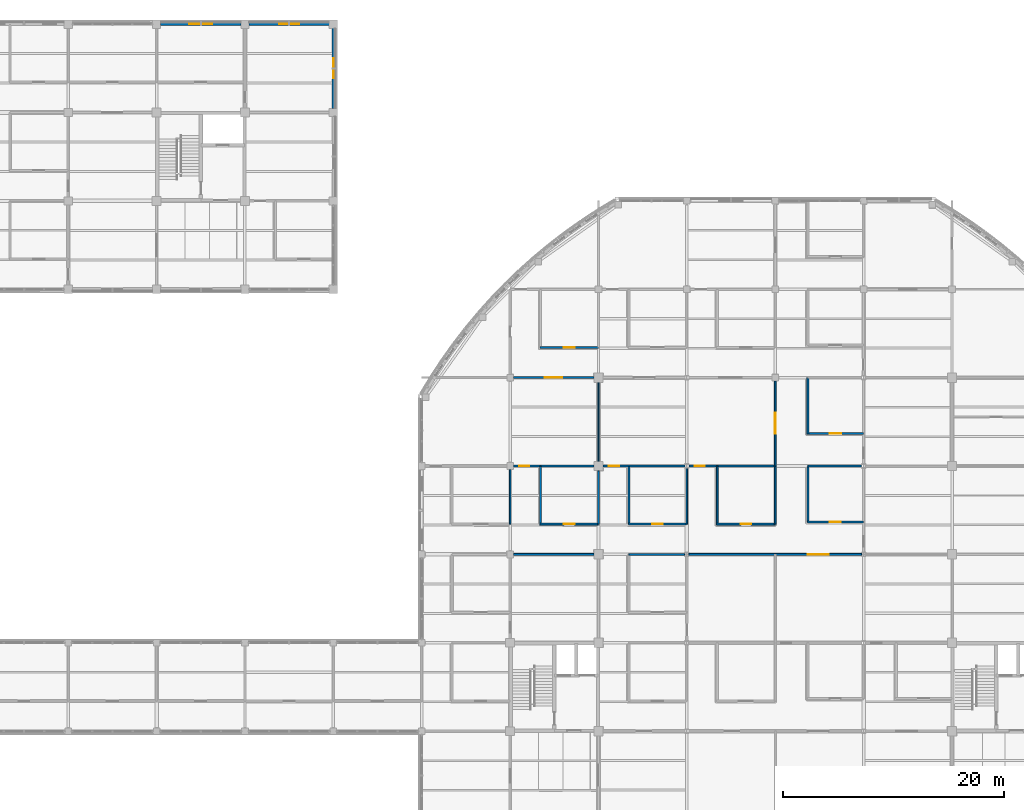
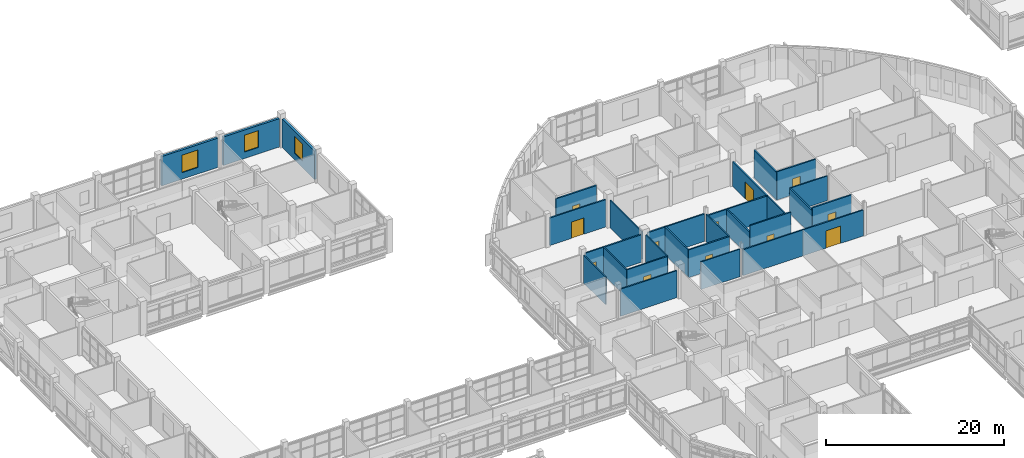
# One storey, part 88 of 121: 29 walls, 12 doors, 3 windows, 15 openings.
"""IFC4 building model written with IfcOpenShell, lengths in metres."""

from ifc_helpers import new_model, si_unit, derived_unit, direction, frame, frame_2d, origin, place, context, subcontext, project, spatial, rectangle, extrude, material, layer, layer_set, type_object, element, fill, save


model = new_model("IFC4")

# Units and contexts
model_context = context("Model", 3, precision=1e-05, world=origin(), true_north=direction((0.0, 1.0)))
body_context = subcontext(model_context, "Body", "Model", "MODEL_VIEW")
ifc_project = project(units=[si_unit("LENGTHUNIT", "METRE"), si_unit("AREAUNIT", "SQUARE_METRE"), si_unit("VOLUMEUNIT", "CUBIC_METRE"), si_unit("PLANEANGLEUNIT", "RADIAN"), si_unit("MASSUNIT", "GRAM", prefix="KILO"), derived_unit("THERMALTRANSMITTANCEUNIT", [(si_unit("MASSUNIT", "GRAM", prefix="KILO"), 1), (si_unit("TIMEUNIT", "SECOND"), -3), (si_unit("THERMODYNAMICTEMPERATUREUNIT", "KELVIN"), -1)])], contexts=[model_context])

# Site, building, storey
site_placement = place(None, origin())
site = spatial("IfcSite", under=ifc_project, at=site_placement, CompositionType="ELEMENT")
building_placement = place(site_placement, origin())
building = spatial("IfcBuilding", under=site, at=building_placement, Name="Veyamyaing Civic Hall", CompositionType="ELEMENT")
storey_placement = place(building_placement, frame((0.0, 0.0, 5.280029296875)))
storey = spatial("IfcBuildingStorey", under=building, at=storey_placement, Name="L01", CompositionType="ELEMENT", Elevation=5.280029296875)

# Wall, opening, window
ifc_material_1 = material(Name="Precast concrete C40/50", Category="concrete")
ifc_layer_1 = layer(ifc_material_1, 0.280029296875, Name="Precast concrete C40/50")
ifc_layer_set_1 = layer_set([ifc_layer_1], Name="Precast concrete C40/50")
wall_type_1 = type_object("IfcWallType", Name="WT-04", PredefinedType="SOLIDWALL", material=ifc_layer_set_1)
wall_1_placement = place(storey_placement, frame((32.360107421875, 112.0, 0.0), z_axis=(0.0, 0.0, 1.0), x_axis=(1.0, 0.0, 0.0)))
wall_1 = element("IfcWall", 1, at=wall_1_placement, inside=storey, type_object=wall_type_1, Name="Exterior facade wall WT-04 L01 N 5.14", PredefinedType="SOLIDWALL", context=body_context, shape_type="SweptSolid", body=[
    extrude(rectangle(XDim=7.27978515625, YDim=0.280029296875, at=frame_2d((3.639892578125, 0.0))), origin(), (0.0, 0.0, 1.0), 4.02197265625),
])
opening_1_placement = place(wall_1_placement, frame((2.590087890625, 0.0, 0.89990234375)))
opening_1 = element("IfcOpeningElement", 2, at=opening_1_placement, cuts=wall_1, Name="Opening W-05", PredefinedType="OPENING", context=body_context, shape_type="SweptSolid", body=[
    extrude(rectangle(XDim=2.10009765625, YDim=2.39990234375, at=frame_2d((1.050048828125, 1.199951171875))), frame((0.0, 0.14990234375, 0.0), z_axis=(0.0, -1.0, 0.0), x_axis=(1.0, 0.0, 0.0)), (0.0, 0.0, 1.0), 0.300048828125),
])
ifc_material_2 = material(Name="Low-E insulated glass", Category="glass")
window_type_1 = type_object("IfcWindowType", Name="W-05", PartitioningType="SINGLE_PANEL", PredefinedType="WINDOW", material=ifc_material_2)
window_1_placement = place(opening_1_placement, origin())
window_1 = element("IfcWindow", 3, at=window_1_placement, inside=storey, type_object=window_type_1, Name="Facade window W-05 L01 N 5.14", OverallHeight=2.39990234375, OverallWidth=2.10009765625, PartitioningType="SINGLE_PANEL", PredefinedType="WINDOW", context=body_context, shape_type="SweptSolid", body=[
    extrude(rectangle(XDim=2.10009765625, YDim=2.39990234375, at=frame_2d((1.050048828125, 1.199951171875))), frame((0.0, 0.030029296875, 0.0), z_axis=(0.0, -1.0, 0.0), x_axis=(1.0, 0.0, 0.0)), (0.0, 0.0, 1.0), 0.06005859375),
])
fill(opening_1, window_1)

wall_2_placement = place(storey_placement, frame((40.360107421875, 112.0, 0.0), z_axis=(0.0, 0.0, 1.0), x_axis=(1.0, 0.0, 0.0)))
wall_2 = element("IfcWall", 4, at=wall_2_placement, inside=storey, type_object=wall_type_1, Name="Exterior facade wall WT-04 L01 N 6.14", PredefinedType="SOLIDWALL", context=body_context, shape_type="SweptSolid", body=[
    extrude(rectangle(XDim=7.27978515625, YDim=0.280029296875, at=frame_2d((3.639892578125, 0.0))), origin(), (0.0, 0.0, 1.0), 3.909912109375),
])
opening_2_placement = place(wall_2_placement, frame((2.739990234375, 0.0, 0.89990234375)))
opening_2 = element("IfcOpeningElement", 5, at=opening_2_placement, cuts=wall_2, Name="Opening W-06", PredefinedType="OPENING", context=body_context, shape_type="SweptSolid", body=[
    extrude(rectangle(XDim=1.800048828125, YDim=2.300048828125, at=frame_2d((0.89990234375, 1.14990234375))), frame((0.0, 0.14990234375, 0.0), z_axis=(0.0, -1.0, 0.0), x_axis=(1.0, 0.0, 0.0)), (0.0, 0.0, 1.0), 0.300048828125),
])
window_type_2 = type_object("IfcWindowType", Name="W-06", PartitioningType="SINGLE_PANEL", PredefinedType="WINDOW", material=ifc_material_2)
window_2_placement = place(opening_2_placement, origin())
window_2 = element("IfcWindow", 6, at=window_2_placement, inside=storey, type_object=window_type_2, Name="Facade window W-06 L01 N 6.14", OverallHeight=2.300048828125, OverallWidth=1.800048828125, PartitioningType="SINGLE_PANEL", PredefinedType="WINDOW", context=body_context, shape_type="SweptSolid", body=[
    extrude(rectangle(XDim=1.800048828125, YDim=2.300048828125, at=frame_2d((0.89990234375, 1.14990234375))), frame((0.0, 0.030029296875, 0.0), z_axis=(0.0, -1.0, 0.0), x_axis=(1.0, 0.0, 0.0)), (0.0, 0.0, 1.0), 0.06005859375),
])
fill(opening_2, window_2)

wall_3_placement = place(storey_placement, frame((48.0, 104.360107421875, 0.0), z_axis=(0.0, 0.0, 1.0), x_axis=(0.0, 1.0, 0.0)))
wall_3 = element("IfcWall", 7, at=wall_3_placement, inside=storey, type_object=wall_type_1, Name="Exterior facade wall WT-04 L01 E 6.14", PredefinedType="SOLIDWALL", context=body_context, shape_type="SweptSolid", body=[
    extrude(rectangle(XDim=7.27978515625, YDim=0.280029296875, at=frame_2d((3.639892578125, 0.0))), origin(), (0.0, 0.0, 1.0), 3.909912109375),
])
opening_3_placement = place(wall_3_placement, frame((2.739990234375, 0.0, 0.89990234375)))
opening_3 = element("IfcOpeningElement", 8, at=opening_3_placement, cuts=wall_3, Name="Opening W-06", PredefinedType="OPENING", context=body_context, shape_type="SweptSolid", body=[
    extrude(rectangle(XDim=1.800048828125, YDim=2.300048828125, at=frame_2d((0.89990234375, 1.14990234375))), frame((0.0, 0.14990234375, 0.0), z_axis=(0.0, -1.0, 0.0), x_axis=(1.0, 0.0, 0.0)), (0.0, 0.0, 1.0), 0.300048828125),
])
window_3_placement = place(opening_3_placement, origin())
window_3 = element("IfcWindow", 9, at=window_3_placement, inside=storey, type_object=window_type_2, Name="Facade window W-06 L01 E 6.14", OverallHeight=2.300048828125, OverallWidth=1.800048828125, PartitioningType="SINGLE_PANEL", PredefinedType="WINDOW", context=body_context, shape_type="SweptSolid", body=[
    extrude(rectangle(XDim=1.800048828125, YDim=2.300048828125, at=frame_2d((0.89990234375, 1.14990234375))), frame((0.0, 0.030029296875, 0.0), z_axis=(0.0, -1.0, 0.0), x_axis=(1.0, 0.0, 0.0)), (0.0, 0.0, 1.0), 0.06005859375),
])
fill(opening_3, window_3)

# Wall, opening, door
ifc_material_3 = material(Name="Gypsum board on acoustic steel stud", Category="steel")
ifc_layer_2 = layer(ifc_material_3, 0.175048828125, Name="Gypsum board on acoustic steel stud")
ifc_layer_set_2 = layer_set([ifc_layer_2], Name="Gypsum board on acoustic steel stud")
wall_type_2 = type_object("IfcWallType", Name="WT-07", PredefinedType="PARTITIONING", material=ifc_layer_set_2)
wall_4_placement = place(storey_placement, frame((66.699951171875, 66.75, 0.0), z_axis=(0.0, 0.0, 1.0), x_axis=(1.0, 0.0, 0.0)))
wall_4 = element("IfcWall", 10, at=wall_4_placement, inside=storey, type_object=wall_type_2, Name="Corridor gallery partition WT-07 L01.39.1", PredefinedType="PARTITIONING", context=body_context, shape_type="SweptSolid", body=[
    extrude(rectangle(XDim=5.280029296875, YDim=0.175048828125, at=frame_2d((2.64013671875, 0.0))), origin(), (0.0, 0.0, 1.0), 3.85693359375),
])
opening_4_placement = place(wall_4_placement, frame((2.139892578125, 0.0, 0.0)))
opening_4 = element("IfcOpeningElement", 11, at=opening_4_placement, cuts=wall_4, Name="Opening D-13", PredefinedType="OPENING", context=body_context, shape_type="SweptSolid", body=[
    extrude(rectangle(XDim=1.0, YDim=2.14990234375, at=frame_2d((0.5, 1.074951171875))), frame((0.0, 0.097412109375, 0.0), z_axis=(0.0, -1.0, 0.0), x_axis=(1.0, 0.0, 0.0)), (0.0, 0.0, 1.0), 0.195068359375),
])
ifc_material_4 = material(Name="Teak-veneered acoustic timber", Category="wood")
door_type_1 = type_object("IfcDoorType", Name="D-13", OperationType="NOTDEFINED", PredefinedType="DOOR", material=ifc_material_4)
door_1_placement = place(opening_4_placement, origin())
door_1 = element("IfcDoor", 12, at=door_1_placement, inside=storey, type_object=door_type_1, Name="Gallery office door D-13 L01.39", OperationType="SINGLE_SWING_LEFT", OverallHeight=2.14990234375, OverallWidth=1.0, PredefinedType="DOOR", context=body_context, shape_type="SweptSolid", body=[
    extrude(rectangle(XDim=1.0, YDim=2.14990234375, at=frame_2d((0.5, 1.074951171875))), frame((0.0, 0.02490234375, 0.0), z_axis=(0.0, -1.0, 0.0), x_axis=(1.0, 0.0, 0.0)), (0.0, 0.0, 1.0), 0.050048828125),
])
fill(opening_4, door_1)

# Wall
wall_5_placement = place(storey_placement, frame((66.75, 66.699951171875, 0.0), z_axis=(0.0, 0.0, 1.0), x_axis=(0.0, 1.0, 0.0)))
element("IfcWall", 13, at=wall_5_placement, inside=storey, type_object=wall_type_2, Name="Corridor gallery partition WT-07 L01.39.2", PredefinedType="PARTITIONING", context=body_context, shape_type="SweptSolid", body=[
    extrude(rectangle(XDim=5.280029296875, YDim=0.175048828125, at=frame_2d((2.64013671875, 0.0))), origin(), (0.0, 0.0, 1.0), 3.786865234375),
])

# Wall, opening, door
wall_6_placement = place(storey_placement, frame((82.699951171875, 66.75, 0.0), z_axis=(0.0, 0.0, 1.0), x_axis=(1.0, 0.0, 0.0)))
wall_6 = element("IfcWall", 14, at=wall_6_placement, inside=storey, type_object=wall_type_2, Name="Corridor gallery partition WT-07 L01.47.1", PredefinedType="PARTITIONING", context=body_context, shape_type="SweptSolid", body=[
    extrude(rectangle(XDim=5.280029296875, YDim=0.175048828125, at=frame_2d((2.64013671875, 0.0))), origin(), (0.0, 0.0, 1.0), 4.324951171875),
])
opening_5_placement = place(wall_6_placement, frame((2.169921875, 0.0, 0.0)))
opening_5 = element("IfcOpeningElement", 15, at=opening_5_placement, cuts=wall_6, Name="Opening D-30", PredefinedType="OPENING", context=body_context, shape_type="SweptSolid", body=[
    extrude(rectangle(XDim=0.93994140625, YDim=2.1201171875, at=frame_2d((0.469970703125, 1.06005859375))), frame((0.0, 0.097412109375, 0.0), z_axis=(0.0, -1.0, 0.0), x_axis=(1.0, 0.0, 0.0)), (0.0, 0.0, 1.0), 0.195068359375),
])
door_type_2 = type_object("IfcDoorType", Name="D-30", OperationType="NOTDEFINED", PredefinedType="DOOR", material=ifc_material_4)
door_2_placement = place(opening_5_placement, origin())
door_2 = element("IfcDoor", 16, at=door_2_placement, inside=storey, type_object=door_type_2, Name="Gallery office door D-30 L01.47", OperationType="SINGLE_SWING_LEFT", OverallHeight=2.1201171875, OverallWidth=0.93994140625, PredefinedType="DOOR", context=body_context, shape_type="SweptSolid", body=[
    extrude(rectangle(XDim=0.93994140625, YDim=2.1201171875, at=frame_2d((0.469970703125, 1.06005859375))), frame((0.0, 0.02490234375, 0.0), z_axis=(0.0, -1.0, 0.0), x_axis=(1.0, 0.0, 0.0)), (0.0, 0.0, 1.0), 0.050048828125),
])
fill(opening_5, door_2)

# Wall
wall_7_placement = place(storey_placement, frame((82.75, 66.699951171875, 0.0), z_axis=(0.0, 0.0, 1.0), x_axis=(0.0, 1.0, 0.0)))
element("IfcWall", 17, at=wall_7_placement, inside=storey, type_object=wall_type_2, Name="Corridor gallery partition WT-07 L01.47.2", PredefinedType="PARTITIONING", context=body_context, shape_type="SweptSolid", body=[
    extrude(rectangle(XDim=5.280029296875, YDim=0.175048828125, at=frame_2d((2.64013671875, 0.0))), origin(), (0.0, 0.0, 1.0), 3.39697265625),
])

# Wall, opening, door
wall_8_placement = place(storey_placement, frame((90.89990234375, 74.949951171875, 0.0), z_axis=(0.0, 0.0, 1.0), x_axis=(1.0, 0.0, 0.0)))
wall_8 = element("IfcWall", 18, at=wall_8_placement, inside=storey, type_object=wall_type_2, Name="Corridor gallery partition WT-07 L01.51.1", PredefinedType="PARTITIONING", context=body_context, shape_type="SweptSolid", body=[
    extrude(rectangle(XDim=5.080078125, YDim=0.175048828125, at=frame_2d((2.5400390625, 0.0))), origin(), (0.0, 0.0, 1.0), 3.85693359375),
])
opening_6_placement = place(wall_8_placement, frame((2.030029296875, 0.0, 0.0)))
opening_6 = element("IfcOpeningElement", 19, at=opening_6_placement, cuts=wall_8, Name="Opening D-19", PredefinedType="OPENING", context=body_context, shape_type="SweptSolid", body=[
    extrude(rectangle(XDim=1.02001953125, YDim=2.199951171875, at=frame_2d((0.510009765625, 1.10009765625))), frame((0.0, 0.097412109375, 0.0), z_axis=(0.0, -1.0, 0.0), x_axis=(1.0, 0.0, 0.0)), (0.0, 0.0, 1.0), 0.195068359375),
])
door_type_3 = type_object("IfcDoorType", Name="D-19", OperationType="NOTDEFINED", PredefinedType="DOOR", material=ifc_material_4)
door_3_placement = place(opening_6_placement, origin())
door_3 = element("IfcDoor", 20, at=door_3_placement, inside=storey, type_object=door_type_3, Name="Gallery office door D-19 L01.51", OperationType="SINGLE_SWING_LEFT", OverallHeight=2.199951171875, OverallWidth=1.02001953125, PredefinedType="DOOR", context=body_context, shape_type="SweptSolid", body=[
    extrude(rectangle(XDim=1.02001953125, YDim=2.199951171875, at=frame_2d((0.510009765625, 1.10009765625))), frame((0.0, 0.02490234375, 0.0), z_axis=(0.0, -1.0, 0.0), x_axis=(1.0, 0.0, 0.0)), (0.0, 0.0, 1.0), 0.050048828125),
])
fill(opening_6, door_3)

# Walls
wall_9_placement = place(storey_placement, frame((90.949951171875, 74.89990234375, 0.0), z_axis=(0.0, 0.0, 1.0), x_axis=(0.0, 1.0, 0.0)))
element("IfcWall", 21, at=wall_9_placement, inside=storey, type_object=wall_type_2, Name="Corridor gallery partition WT-07 L01.51.2", PredefinedType="PARTITIONING", context=body_context, shape_type="SweptSolid", body=[
    extrude(rectangle(XDim=5.080078125, YDim=0.175048828125, at=frame_2d((2.5400390625, 0.0))), origin(), (0.0, 0.0, 1.0), 3.786865234375),
])
wall_10_placement = place(storey_placement, frame((64.2900390625, 64.0, 0.0), z_axis=(0.0, 0.0, 1.0), x_axis=(1.0, 0.0, 0.0)))
element("IfcWall", 22, at=wall_10_placement, inside=storey, type_object=wall_type_2, Name="Interior partition wall WT-07 L01.37", PredefinedType="PARTITIONING", context=body_context, shape_type="SweptSolid", body=[
    extrude(rectangle(XDim=7.294921875, YDim=0.175048828125, at=frame_2d((3.6474609375, 0.0))), origin(), (0.0, 0.0, 1.0), 3.7119140625),
])
wall_11_placement = place(storey_placement, frame((80.177001953125, 64.0, 0.0), z_axis=(0.0, 0.0, 1.0), x_axis=(1.0, 0.0, 0.0)))
element("IfcWall", 23, at=wall_11_placement, inside=storey, type_object=wall_type_2, Name="Interior partition wall WT-07 L01.55", PredefinedType="PARTITIONING", context=body_context, shape_type="SweptSolid", body=[
    extrude(rectangle(XDim=7.822998046875, YDim=0.175048828125, at=frame_2d((3.91162109375, 0.0))), origin(), (0.0, 0.0, 1.0), 3.56201171875),
])

# Wall, opening, door
wall_12_placement = place(storey_placement, frame((88.0, 72.0, 0.0), z_axis=(0.0, 0.0, 1.0), x_axis=(0.0, 1.0, 0.0)))
wall_12 = element("IfcWall", 24, at=wall_12_placement, inside=storey, type_object=wall_type_2, Name="Interior partition wall WT-07 L01.57", PredefinedType="PARTITIONING", context=body_context, shape_type="SweptSolid", body=[
    extrude(rectangle(XDim=7.7099609375, YDim=0.175048828125, at=frame_2d((3.85498046875, 0.0))), origin(), (0.0, 0.0, 1.0), 3.39697265625),
])
opening_7_placement = place(wall_12_placement, frame((2.905029296875, 0.0, 0.0)))
opening_7 = element("IfcOpeningElement", 25, at=opening_7_placement, cuts=wall_12, Name="Opening D-31", PredefinedType="OPENING", context=body_context, shape_type="SweptSolid", body=[
    extrude(rectangle(XDim=1.89990234375, YDim=2.3798828125, at=frame_2d((0.949951171875, 1.18994140625))), frame((0.0, 0.097412109375, 0.0), z_axis=(0.0, -1.0, 0.0), x_axis=(1.0, 0.0, 0.0)), (0.0, 0.0, 1.0), 0.195068359375),
])
door_type_4 = type_object("IfcDoorType", Name="D-31", OperationType="DOUBLE_DOOR_SINGLE_SWING", PredefinedType="DOOR", material=ifc_material_4)
door_4_placement = place(opening_7_placement, origin())
door_4 = element("IfcDoor", 26, at=door_4_placement, inside=storey, type_object=door_type_4, Name="Interior door D-31 L01.57", OperationType="DOUBLE_DOOR_SINGLE_SWING", OverallHeight=2.3798828125, OverallWidth=1.89990234375, PredefinedType="DOOR", context=body_context, shape_type="SweptSolid", body=[
    extrude(rectangle(XDim=1.89990234375, YDim=2.3798828125, at=frame_2d((0.949951171875, 1.18994140625))), frame((0.0, 0.02490234375, 0.0), z_axis=(0.0, -1.0, 0.0), x_axis=(1.0, 0.0, 0.0)), (0.0, 0.0, 1.0), 0.050048828125),
])
fill(opening_7, door_4)

wall_13_placement = place(storey_placement, frame((88.0, 64.0, 0.0), z_axis=(0.0, 0.0, 1.0), x_axis=(1.0, 0.0, 0.0)))
wall_13 = element("IfcWall", 27, at=wall_13_placement, inside=storey, type_object=wall_type_2, Name="Interior partition wall WT-07 L01.63", PredefinedType="PARTITIONING", context=body_context, shape_type="SweptSolid", body=[
    extrude(rectangle(XDim=7.822998046875, YDim=0.175048828125, at=frame_2d((3.91162109375, 0.0))), origin(), (0.0, 0.0, 1.0), 3.56201171875),
])
opening_8_placement = place(wall_13_placement, frame((2.96142578125, 0.0, 0.0)))
opening_8 = element("IfcOpeningElement", 28, at=opening_8_placement, cuts=wall_13, Name="Opening D-31", PredefinedType="OPENING", context=body_context, shape_type="SweptSolid", body=[
    extrude(rectangle(XDim=1.89990234375, YDim=2.3798828125, at=frame_2d((0.949951171875, 1.18994140625))), frame((0.0, 0.097412109375, 0.0), z_axis=(0.0, -1.0, 0.0), x_axis=(1.0, 0.0, 0.0)), (0.0, 0.0, 1.0), 0.195068359375),
])
door_5_placement = place(opening_8_placement, frame((1.89990234375, 0.0, 0.0), z_axis=(0.0, 0.0, 1.0), x_axis=(-1.0, 0.0, 0.0)))
door_5 = element("IfcDoor", 29, at=door_5_placement, inside=storey, type_object=door_type_4, Name="Interior door D-31 L01.63", OperationType="DOUBLE_DOOR_SINGLE_SWING", OverallHeight=2.3798828125, OverallWidth=1.89990234375, PredefinedType="DOOR", context=body_context, shape_type="SweptSolid", body=[
    extrude(rectangle(XDim=1.89990234375, YDim=2.3798828125, at=frame_2d((0.949951171875, 1.18994140625))), frame((0.0, 0.02490234375, 0.0), z_axis=(0.0, -1.0, 0.0), x_axis=(1.0, 0.0, 0.0)), (0.0, 0.0, 1.0), 0.050048828125),
])
fill(opening_8, door_5)

# Walls
ifc_material_5 = material(Name="Gypsum board on steel stud", Category="steel")
ifc_layer_3 = layer(ifc_material_5, 0.14990234375, Name="Gypsum board on steel stud")
ifc_layer_set_3 = layer_set([ifc_layer_3], Name="Gypsum board on steel stud")
wall_type_3 = type_object("IfcWallType", Name="WT-08", PredefinedType="PARTITIONING", material=ifc_layer_set_3)
wall_14_placement = place(storey_placement, frame((64.0, 66.75, 0.0), z_axis=(0.0, 0.0, 1.0), x_axis=(0.0, 1.0, 0.0)))
element("IfcWall", 30, at=wall_14_placement, inside=storey, type_object=wall_type_3, Name="Gallery office end partition WT-08 L01.36.2", PredefinedType="PARTITIONING", context=body_context, shape_type="SweptSolid", body=[
    extrude(rectangle(XDim=4.93994140625, YDim=0.14990234375, at=frame_2d((2.469970703125, 0.0))), origin(), (0.0, 0.0, 1.0), 3.786865234375),
])
wall_15_placement = place(storey_placement, frame((72.0, 66.75, 0.0), z_axis=(0.0, 0.0, 1.0), x_axis=(0.0, 1.0, 0.0)))
element("IfcWall", 31, at=wall_15_placement, inside=storey, type_object=wall_type_3, Name="Gallery office end partition WT-08 L01.39.2", PredefinedType="PARTITIONING", context=body_context, shape_type="SweptSolid", body=[
    extrude(rectangle(XDim=4.81494140625, YDim=0.14990234375, at=frame_2d((2.407470703125, 0.0))), origin(), (0.0, 0.0, 1.0), 3.85693359375),
])
wall_16_placement = place(storey_placement, frame((74.75, 64.0, 0.0), z_axis=(0.0, 0.0, 1.0), x_axis=(1.0, 0.0, 0.0)))
element("IfcWall", 32, at=wall_16_placement, inside=storey, type_object=wall_type_3, Name="Gallery office end partition WT-08 L01.43.1", PredefinedType="PARTITIONING", context=body_context, shape_type="SweptSolid", body=[
    extrude(rectangle(XDim=5.052978515625, YDim=0.14990234375, at=frame_2d((2.5263671875, 0.0))), origin(), (0.0, 0.0, 1.0), 3.786865234375),
])
wall_17_placement = place(storey_placement, frame((80.0, 66.75, 0.0), z_axis=(0.0, 0.0, 1.0), x_axis=(0.0, 1.0, 0.0)))
element("IfcWall", 33, at=wall_17_placement, inside=storey, type_object=wall_type_3, Name="Gallery office end partition WT-08 L01.44.2", PredefinedType="PARTITIONING", context=body_context, shape_type="SweptSolid", body=[
    extrude(rectangle(XDim=5.053955078125, YDim=0.14990234375, at=frame_2d((2.52685546875, 0.0))), origin(), (0.0, 0.0, 1.0), 3.781005859375),
])
wall_18_placement = place(storey_placement, frame((88.0, 66.75, 0.0), z_axis=(0.0, 0.0, 1.0), x_axis=(0.0, 1.0, 0.0)))
element("IfcWall", 34, at=wall_18_placement, inside=storey, type_object=wall_type_3, Name="Gallery office end partition WT-08 L01.47.2", PredefinedType="PARTITIONING", context=body_context, shape_type="SweptSolid", body=[
    extrude(rectangle(XDim=5.22998046875, YDim=0.14990234375, at=frame_2d((2.614990234375, 0.0))), origin(), (0.0, 0.0, 1.0), 3.39697265625),
])
wall_19_placement = place(storey_placement, frame((90.949951171875, 72.0, 0.0), z_axis=(0.0, 0.0, 1.0), x_axis=(1.0, 0.0, 0.0)))
element("IfcWall", 35, at=wall_19_placement, inside=storey, type_object=wall_type_3, Name="Gallery office end partition WT-08 L01.50.1", PredefinedType="PARTITIONING", context=body_context, shape_type="SweptSolid", body=[
    extrude(rectangle(XDim=4.85302734375, YDim=0.14990234375, at=frame_2d((2.426513671875, 0.0))), origin(), (0.0, 0.0, 1.0), 3.39697265625),
])
ifc_layer_4 = layer(ifc_material_5, 0.135009765625, Name="Gypsum board on steel stud")
ifc_layer_set_4 = layer_set([ifc_layer_4], Name="Gypsum board on steel stud")
wall_type_4 = type_object("IfcWallType", Name="WT-15", PredefinedType="PARTITIONING", material=ifc_layer_set_4)
wall_20_placement = place(storey_placement, frame((72.0, 72.4150390625, 0.0), z_axis=(0.0, 0.0, 1.0), x_axis=(0.0, 1.0, 0.0)))
element("IfcWall", 36, at=wall_20_placement, inside=storey, type_object=wall_type_4, Name="Interior partition wall WT-15 L01.39", PredefinedType="PARTITIONING", context=body_context, shape_type="SweptSolid", body=[
    extrude(rectangle(XDim=7.169921875, YDim=0.135009765625, at=frame_2d((3.5849609375, 0.0))), origin(), (0.0, 0.0, 1.0), 3.781005859375),
])

# Wall, opening, door
ifc_material_6 = material(Name="Gypsum board on double acoustic stud")
ifc_layer_5 = layer(ifc_material_6, 0.18505859375, Name="Gypsum board on double acoustic stud")
ifc_layer_set_5 = layer_set([ifc_layer_5], Name="Gypsum board on double acoustic stud")
wall_type_5 = type_object("IfcWallType", Name="WT-19", PredefinedType="PARTITIONING", material=ifc_layer_set_5)
wall_21_placement = place(storey_placement, frame((66.699951171875, 82.75, 0.0), z_axis=(0.0, 0.0, 1.0), x_axis=(1.0, 0.0, 0.0)))
wall_21 = element("IfcWall", 37, at=wall_21_placement, inside=storey, type_object=wall_type_5, Name="Corridor gallery partition WT-19 L01.40.1", PredefinedType="PARTITIONING", context=body_context, shape_type="SweptSolid", body=[
    extrude(rectangle(XDim=5.280029296875, YDim=0.18505859375, at=frame_2d((2.64013671875, 0.0))), origin(), (0.0, 0.0, 1.0), 3.89599609375),
])
opening_9_placement = place(wall_21_placement, frame((2.14990234375, 0.0, 0.0)))
opening_9 = element("IfcOpeningElement", 38, at=opening_9_placement, cuts=wall_21, Name="Opening D-14", PredefinedType="OPENING", context=body_context, shape_type="SweptSolid", body=[
    extrude(rectangle(XDim=0.97998046875, YDim=2.14990234375, at=frame_2d((0.489990234375, 1.074951171875))), frame((0.0, 0.1025390625, 0.0), z_axis=(0.0, -1.0, 0.0), x_axis=(1.0, 0.0, 0.0)), (0.0, 0.0, 1.0), 0.205078125),
])
door_type_5 = type_object("IfcDoorType", Name="D-14", OperationType="NOTDEFINED", PredefinedType="DOOR", material=ifc_material_4)
door_6_placement = place(opening_9_placement, origin())
door_6 = element("IfcDoor", 39, at=door_6_placement, inside=storey, type_object=door_type_5, Name="Gallery office door D-14 L01.40", OperationType="SINGLE_SWING_RIGHT", OverallHeight=2.14990234375, OverallWidth=0.97998046875, PredefinedType="DOOR", context=body_context, shape_type="SweptSolid", body=[
    extrude(rectangle(XDim=0.97998046875, YDim=2.14990234375, at=frame_2d((0.489990234375, 1.074951171875))), frame((0.0, 0.02490234375, 0.0), z_axis=(0.0, -1.0, 0.0), x_axis=(1.0, 0.0, 0.0)), (0.0, 0.0, 1.0), 0.050048828125),
])
fill(opening_9, door_6)

wall_22_placement = place(storey_placement, frame((74.699951171875, 66.75, 0.0), z_axis=(0.0, 0.0, 1.0), x_axis=(1.0, 0.0, 0.0)))
wall_22 = element("IfcWall", 40, at=wall_22_placement, inside=storey, type_object=wall_type_5, Name="Corridor gallery partition WT-19 L01.44.1", PredefinedType="PARTITIONING", context=body_context, shape_type="SweptSolid", body=[
    extrude(rectangle(XDim=5.280029296875, YDim=0.18505859375, at=frame_2d((2.64013671875, 0.0))), origin(), (0.0, 0.0, 1.0), 3.781005859375),
])
opening_10_placement = place(wall_22_placement, frame((2.159912109375, 0.0, 0.0)))
opening_10 = element("IfcOpeningElement", 41, at=opening_10_placement, cuts=wall_22, Name="Opening D-25", PredefinedType="OPENING", context=body_context, shape_type="SweptSolid", body=[
    extrude(rectangle(XDim=0.9599609375, YDim=2.139892578125, at=frame_2d((0.47998046875, 1.06982421875))), frame((0.0, 0.1025390625, 0.0), z_axis=(0.0, -1.0, 0.0), x_axis=(1.0, 0.0, 0.0)), (0.0, 0.0, 1.0), 0.205078125),
])
door_type_6 = type_object("IfcDoorType", Name="D-25", OperationType="NOTDEFINED", PredefinedType="DOOR", material=ifc_material_4)
door_7_placement = place(opening_10_placement, origin())
door_7 = element("IfcDoor", 42, at=door_7_placement, inside=storey, type_object=door_type_6, Name="Gallery office door D-25 L01.44", OperationType="SINGLE_SWING_RIGHT", OverallHeight=2.139892578125, OverallWidth=0.9599609375, PredefinedType="DOOR", context=body_context, shape_type="SweptSolid", body=[
    extrude(rectangle(XDim=0.9599609375, YDim=2.139892578125, at=frame_2d((0.47998046875, 1.06982421875))), frame((0.0, 0.02490234375, 0.0), z_axis=(0.0, -1.0, 0.0), x_axis=(1.0, 0.0, 0.0)), (0.0, 0.0, 1.0), 0.050048828125),
])
fill(opening_10, door_7)

# Wall
wall_23_placement = place(storey_placement, frame((74.75, 66.699951171875, 0.0), z_axis=(0.0, 0.0, 1.0), x_axis=(0.0, 1.0, 0.0)))
element("IfcWall", 43, at=wall_23_placement, inside=storey, type_object=wall_type_5, Name="Corridor gallery partition WT-19 L01.44.2", PredefinedType="PARTITIONING", context=body_context, shape_type="SweptSolid", body=[
    extrude(rectangle(XDim=5.280029296875, YDim=0.18505859375, at=frame_2d((2.64013671875, 0.0))), origin(), (0.0, 0.0, 1.0), 3.77099609375),
])

# Wall, opening, door
wall_24_placement = place(storey_placement, frame((90.89990234375, 66.949951171875, 0.0), z_axis=(0.0, 0.0, 1.0), x_axis=(1.0, 0.0, 0.0)))
wall_24 = element("IfcWall", 44, at=wall_24_placement, inside=storey, type_object=wall_type_5, Name="Corridor gallery partition WT-19 L01.50.1", PredefinedType="PARTITIONING", context=body_context, shape_type="SweptSolid", body=[
    extrude(rectangle(XDim=5.080078125, YDim=0.18505859375, at=frame_2d((2.5400390625, 0.0))), origin(), (0.0, 0.0, 1.0), 3.786865234375),
])
opening_11_placement = place(wall_24_placement, frame((2.050048828125, 0.0, 0.0)))
opening_11 = element("IfcOpeningElement", 45, at=opening_11_placement, cuts=wall_24, Name="Opening D-14", PredefinedType="OPENING", context=body_context, shape_type="SweptSolid", body=[
    extrude(rectangle(XDim=0.97998046875, YDim=2.14990234375, at=frame_2d((0.489990234375, 1.074951171875))), frame((0.0, 0.1025390625, 0.0), z_axis=(0.0, -1.0, 0.0), x_axis=(1.0, 0.0, 0.0)), (0.0, 0.0, 1.0), 0.205078125),
])
door_8_placement = place(opening_11_placement, origin())
door_8 = element("IfcDoor", 46, at=door_8_placement, inside=storey, type_object=door_type_5, Name="Gallery office door D-14 L01.50", OperationType="SINGLE_SWING_RIGHT", OverallHeight=2.14990234375, OverallWidth=0.97998046875, PredefinedType="DOOR", context=body_context, shape_type="SweptSolid", body=[
    extrude(rectangle(XDim=0.97998046875, YDim=2.14990234375, at=frame_2d((0.489990234375, 1.074951171875))), frame((0.0, 0.02490234375, 0.0), z_axis=(0.0, -1.0, 0.0), x_axis=(1.0, 0.0, 0.0)), (0.0, 0.0, 1.0), 0.050048828125),
])
fill(opening_11, door_8)

# Wall
wall_25_placement = place(storey_placement, frame((90.949951171875, 66.89990234375, 0.0), z_axis=(0.0, 0.0, 1.0), x_axis=(0.0, 1.0, 0.0)))
element("IfcWall", 47, at=wall_25_placement, inside=storey, type_object=wall_type_5, Name="Corridor gallery partition WT-19 L01.50.2", PredefinedType="PARTITIONING", context=body_context, shape_type="SweptSolid", body=[
    extrude(rectangle(XDim=5.080078125, YDim=0.18505859375, at=frame_2d((2.5400390625, 0.0))), origin(), (0.0, 0.0, 1.0), 3.39697265625),
])

# Wall, opening, door
wall_26_placement = place(storey_placement, frame((64.2900390625, 72.0, 0.0), z_axis=(0.0, 0.0, 1.0), x_axis=(1.0, 0.0, 0.0)))
wall_26 = element("IfcWall", 48, at=wall_26_placement, inside=storey, type_object=wall_type_5, Name="Interior partition wall WT-19 L01.38", PredefinedType="PARTITIONING", context=body_context, shape_type="SweptSolid", body=[
    extrude(rectangle(XDim=7.294921875, YDim=0.18505859375, at=frame_2d((3.6474609375, 0.0))), origin(), (0.0, 0.0, 1.0), 3.786865234375),
])
opening_12_placement = place(wall_26_placement, frame((0.52001953125, 0.0, 0.0)))
opening_12 = element("IfcOpeningElement", 49, at=opening_12_placement, cuts=wall_26, Name="Opening D-30", PredefinedType="OPENING", context=body_context, shape_type="SweptSolid", body=[
    extrude(rectangle(XDim=0.93994140625, YDim=2.1201171875, at=frame_2d((0.469970703125, 1.06005859375))), frame((0.0, 0.1025390625, 0.0), z_axis=(0.0, -1.0, 0.0), x_axis=(1.0, 0.0, 0.0)), (0.0, 0.0, 1.0), 0.205078125),
])
door_9_placement = place(opening_12_placement, origin())
door_9 = element("IfcDoor", 50, at=door_9_placement, inside=storey, type_object=door_type_2, Name="Interior door D-30 L01.38", OperationType="SINGLE_SWING_RIGHT", OverallHeight=2.1201171875, OverallWidth=0.93994140625, PredefinedType="DOOR", context=body_context, shape_type="SweptSolid", body=[
    extrude(rectangle(XDim=0.93994140625, YDim=2.1201171875, at=frame_2d((0.469970703125, 1.06005859375))), frame((0.0, 0.02490234375, 0.0), z_axis=(0.0, -1.0, 0.0), x_axis=(1.0, 0.0, 0.0)), (0.0, 0.0, 1.0), 0.050048828125),
])
fill(opening_12, door_9)

wall_27_placement = place(storey_placement, frame((64.2900390625, 80.0, 0.0), z_axis=(0.0, 0.0, 1.0), x_axis=(1.0, 0.0, 0.0)))
wall_27 = element("IfcWall", 51, at=wall_27_placement, inside=storey, type_object=wall_type_5, Name="Interior partition wall WT-19 L01.40", PredefinedType="PARTITIONING", context=body_context, shape_type="SweptSolid", body=[
    extrude(rectangle(XDim=7.294921875, YDim=0.18505859375, at=frame_2d((3.6474609375, 0.0))), origin(), (0.0, 0.0, 1.0), 3.77099609375),
])
opening_13_placement = place(wall_27_placement, frame((2.847412109375, 0.0, 0.0)))
opening_13 = element("IfcOpeningElement", 52, at=opening_13_placement, cuts=wall_27, Name="Opening D-09", PredefinedType="OPENING", context=body_context, shape_type="SweptSolid", body=[
    extrude(rectangle(XDim=1.60009765625, YDim=2.25, at=frame_2d((0.800048828125, 1.125))), frame((0.0, 0.1025390625, 0.0), z_axis=(0.0, -1.0, 0.0), x_axis=(1.0, 0.0, 0.0)), (0.0, 0.0, 1.0), 0.205078125),
])
door_type_7 = type_object("IfcDoorType", Name="D-09", OperationType="DOUBLE_DOOR_SINGLE_SWING", PredefinedType="DOOR", material=ifc_material_4)
door_10_placement = place(opening_13_placement, frame((1.60009765625, 0.0, 0.0), z_axis=(0.0, 0.0, 1.0), x_axis=(-1.0, 0.0, 0.0)))
door_10 = element("IfcDoor", 53, at=door_10_placement, inside=storey, type_object=door_type_7, Name="Interior door D-09 L01.40", OperationType="DOUBLE_DOOR_SINGLE_SWING", OverallHeight=2.25, OverallWidth=1.60009765625, PredefinedType="DOOR", context=body_context, shape_type="SweptSolid", body=[
    extrude(rectangle(XDim=1.60009765625, YDim=2.25, at=frame_2d((0.800048828125, 1.125))), frame((0.0, 0.02490234375, 0.0), z_axis=(0.0, -1.0, 0.0), x_axis=(1.0, 0.0, 0.0)), (0.0, 0.0, 1.0), 0.050048828125),
])
fill(opening_13, door_10)

wall_28_placement = place(storey_placement, frame((72.4150390625, 72.0, 0.0), z_axis=(0.0, 0.0, 1.0), x_axis=(1.0, 0.0, 0.0)))
wall_28 = element("IfcWall", 54, at=wall_28_placement, inside=storey, type_object=wall_type_5, Name="Interior partition wall WT-19 L01.48", PredefinedType="PARTITIONING", context=body_context, shape_type="SweptSolid", body=[
    extrude(rectangle(XDim=7.407958984375, YDim=0.18505859375, at=frame_2d((3.7041015625, 0.0))), origin(), (0.0, 0.0, 1.0), 3.77099609375),
])
opening_14_placement = place(wall_28_placement, frame((0.52001953125, 0.0, 0.0)))
opening_14 = element("IfcOpeningElement", 55, at=opening_14_placement, cuts=wall_28, Name="Opening D-30", PredefinedType="OPENING", context=body_context, shape_type="SweptSolid", body=[
    extrude(rectangle(XDim=0.93994140625, YDim=2.1201171875, at=frame_2d((0.469970703125, 1.06005859375))), frame((0.0, 0.1025390625, 0.0), z_axis=(0.0, -1.0, 0.0), x_axis=(1.0, 0.0, 0.0)), (0.0, 0.0, 1.0), 0.205078125),
])
door_11_placement = place(opening_14_placement, origin())
door_11 = element("IfcDoor", 56, at=door_11_placement, inside=storey, type_object=door_type_2, Name="Interior door D-30 L01.48", OperationType="SINGLE_SWING_RIGHT", OverallHeight=2.1201171875, OverallWidth=0.93994140625, PredefinedType="DOOR", context=body_context, shape_type="SweptSolid", body=[
    extrude(rectangle(XDim=0.93994140625, YDim=2.1201171875, at=frame_2d((0.469970703125, 1.06005859375))), frame((0.0, 0.02490234375, 0.0), z_axis=(0.0, -1.0, 0.0), x_axis=(1.0, 0.0, 0.0)), (0.0, 0.0, 1.0), 0.050048828125),
])
fill(opening_14, door_11)

wall_29_placement = place(storey_placement, frame((80.177001953125, 72.0, 0.0), z_axis=(0.0, 0.0, 1.0), x_axis=(1.0, 0.0, 0.0)))
wall_29 = element("IfcWall", 57, at=wall_29_placement, inside=storey, type_object=wall_type_5, Name="Interior partition wall WT-19 L01.56", PredefinedType="PARTITIONING", context=body_context, shape_type="SweptSolid", body=[
    extrude(rectangle(XDim=7.822998046875, YDim=0.18505859375, at=frame_2d((3.91162109375, 0.0))), origin(), (0.0, 0.0, 1.0), 3.39697265625),
])
opening_15_placement = place(wall_29_placement, frame((0.52001953125, 0.0, 0.0)))
opening_15 = element("IfcOpeningElement", 58, at=opening_15_placement, cuts=wall_29, Name="Opening D-30", PredefinedType="OPENING", context=body_context, shape_type="SweptSolid", body=[
    extrude(rectangle(XDim=0.93994140625, YDim=2.1201171875, at=frame_2d((0.469970703125, 1.06005859375))), frame((0.0, 0.1025390625, 0.0), z_axis=(0.0, -1.0, 0.0), x_axis=(1.0, 0.0, 0.0)), (0.0, 0.0, 1.0), 0.205078125),
])
door_12_placement = place(opening_15_placement, origin())
door_12 = element("IfcDoor", 59, at=door_12_placement, inside=storey, type_object=door_type_2, Name="Interior door D-30 L01.56", OperationType="SINGLE_SWING_RIGHT", OverallHeight=2.1201171875, OverallWidth=0.93994140625, PredefinedType="DOOR", context=body_context, shape_type="SweptSolid", body=[
    extrude(rectangle(XDim=0.93994140625, YDim=2.1201171875, at=frame_2d((0.469970703125, 1.06005859375))), frame((0.0, 0.02490234375, 0.0), z_axis=(0.0, -1.0, 0.0), x_axis=(1.0, 0.0, 0.0)), (0.0, 0.0, 1.0), 0.050048828125),
])
fill(opening_15, door_12)

save(model, "model.ifc")
